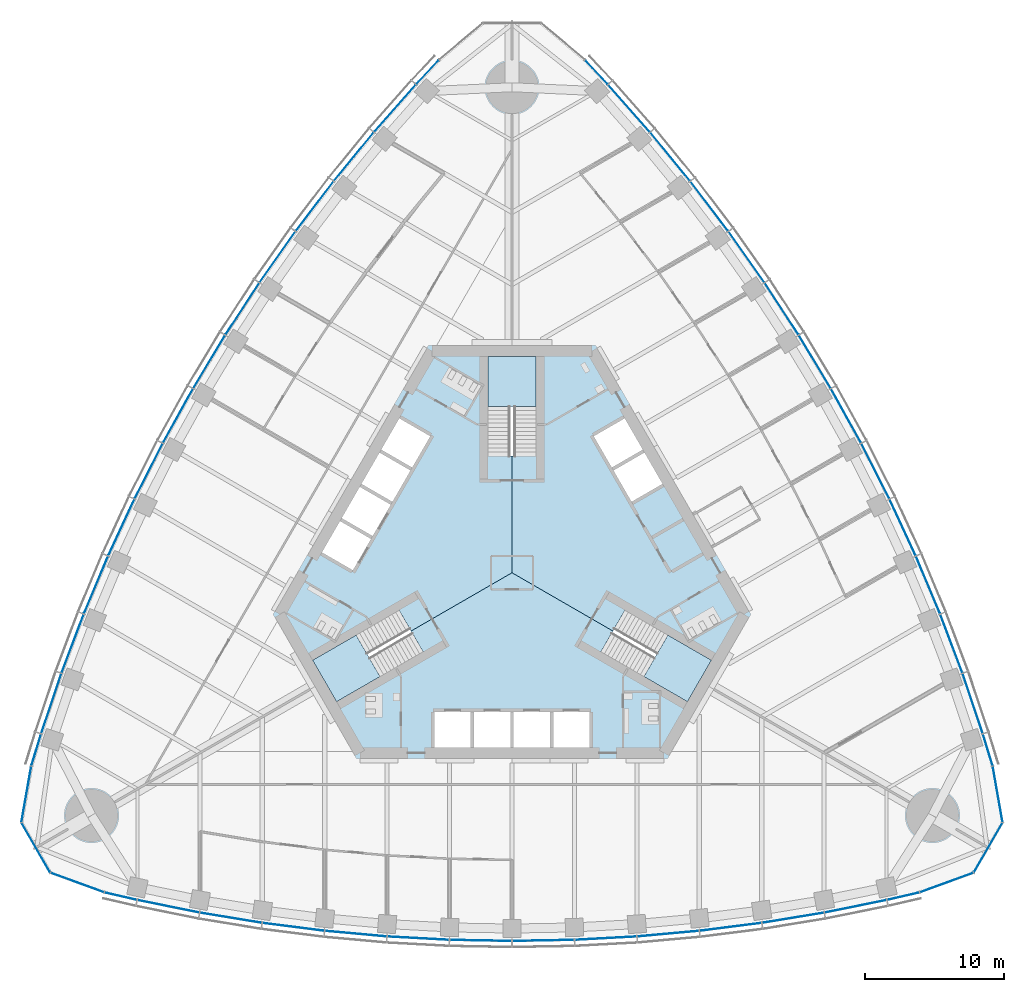
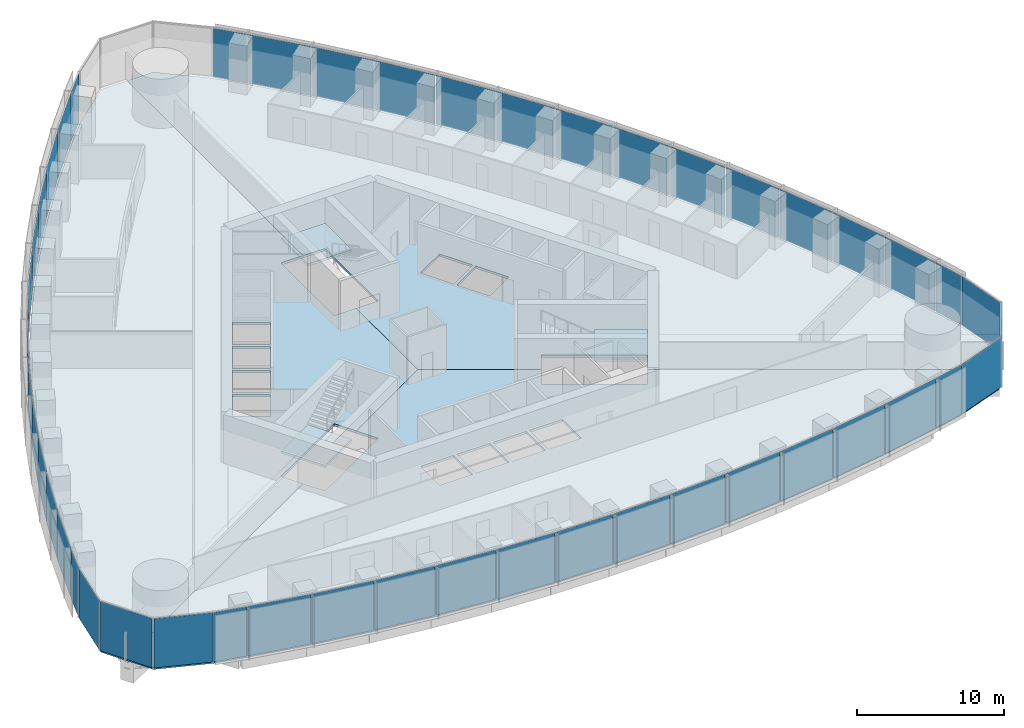
# One storey, part 10 of 19: 48 plates, 6 slabs, 8 elements without a shape of their own.
"""IFC4 building model written with IfcOpenShell, lengths in metres."""

from ifc_helpers import new_model, si_unit, direction, frame, origin, origin_2d, place, context, subcontext, project, spatial, polyline, rectangle, outline, extrude, material, layer, layer_set, type_object, element, aggregate, save


model = new_model("IFC4")

# Units and contexts
model_context = context("Model", 3, precision=1e-05, world=origin(), true_north=direction((0.0, 1.0)))
body_context = subcontext(model_context, "Body", "Model", "MODEL_VIEW")
ifc_project = project(units=[si_unit("LENGTHUNIT", "METRE"), si_unit("AREAUNIT", "SQUARE_METRE"), si_unit("VOLUMEUNIT", "CUBIC_METRE"), si_unit("PLANEANGLEUNIT", "RADIAN"), si_unit("MASSUNIT", "GRAM", prefix="KILO")], contexts=[model_context])

# Site, building, storey
site_placement = place(None, origin())
site = spatial("IfcSite", under=ifc_project, at=site_placement, CompositionType="ELEMENT")
building_placement = place(site_placement, origin())
building = spatial("IfcBuilding", under=site, at=building_placement, Name="Trefoil Bronze Tower", CompositionType="ELEMENT")
storey_placement = place(building_placement, frame((0.0, 0.0, 136.699951171875)))
storey = spatial("IfcBuildingStorey", under=building, at=storey_placement, Name="L31", CompositionType="ELEMENT", Elevation=136.699951171875)

# Curtain wall, plates
ifc_material_1 = material(Name="Tinted solar-control glass", Category="glass")
curtain_wall_type_1 = type_object("IfcCurtainWallType", Name="Bronze office curtain wall", PredefinedType="USERDEFINED", material=ifc_material_1)
curtain_wall_1_placement = place(storey_placement, origin())
curtain_wall_1 = element("IfcCurtainWall", 1, at=curtain_wall_1_placement, inside=storey, type_object=curtain_wall_type_1, Name="CW-A L31 F1", ObjectType="CURTAIN WALL", PredefinedType="USERDEFINED")
ifc_material_2 = material(Name="Tinted solar-control glass", Category="glass")
ifc_layer_1 = layer(ifc_material_2, 0.030029296875)
ifc_layer_set_1 = layer_set([ifc_layer_1], Name="Bronze office curtain wall glass panel")
plate_type_1 = type_object("IfcPlateType", Name="Bronze office curtain wall glass panel", PredefinedType="CURTAIN_PANEL", material=ifc_layer_set_1)
plate_1_placement = place(storey_placement, frame((-28.201416015625, -23.320068359375, 0.0), z_axis=(0.0, 0.0, 1.0), x_axis=(0.97420444715, -0.225667222151, 0.0)))
plate_1 = element("IfcPlate", 2, at=plate_1_placement, type_object=plate_type_1, Name="CW-A L31 F1 panel 1", PredefinedType="CURTAIN_PANEL", context=body_context, shape_type="SweptSolid", body=[
    extrude(rectangle(XDim=2.340087890625, YDim=0.030029296875, at=origin_2d()), origin(), (0.0, 0.0, 1.0), 4.080078125),
])
plate_2_placement = place(storey_placement, frame((-24.769775390625, -24.048828125, 0.0), z_axis=(0.0, 0.0, 1.0), x_axis=(0.980155155547, -0.198231861853, 0.0)))
plate_2 = element("IfcPlate", 3, at=plate_2_placement, type_object=plate_type_1, Name="CW-A L31 F1 panel 2", PredefinedType="CURTAIN_PANEL", context=body_context, shape_type="SweptSolid", body=[
    extrude(rectangle(XDim=4.51123046875, YDim=0.030029296875, at=origin_2d()), origin(), (0.0, 0.0, 1.0), 4.080078125),
])
plate_3_placement = place(storey_placement, frame((-20.26611328125, -24.87451171875, 0.0), z_axis=(0.0, 0.0, 1.0), x_axis=(0.986759655731, -0.162189339418, 0.0)))
plate_3 = element("IfcPlate", 4, at=plate_3_placement, type_object=plate_type_1, Name="CW-A L31 F1 panel 3", PredefinedType="CURTAIN_PANEL", context=body_context, shape_type="SweptSolid", body=[
    extrude(rectangle(XDim=4.48046875, YDim=0.030029296875, at=origin_2d()), origin(), (0.0, 0.0, 1.0), 4.080078125),
])
plate_4_placement = place(storey_placement, frame((-15.7626953125, -25.53076171875, 0.0), z_axis=(0.0, 0.0, 1.0), x_axis=(0.992011554286, -0.126147041833, 0.0)))
plate_4 = element("IfcPlate", 5, at=plate_4_placement, type_object=plate_type_1, Name="CW-A L31 F1 panel 4", PredefinedType="CURTAIN_PANEL", context=body_context, shape_type="SweptSolid", body=[
    extrude(rectangle(XDim=4.456298828125, YDim=0.030029296875, at=origin_2d()), origin(), (0.0, 0.0, 1.0), 4.080078125),
])
plate_5_placement = place(storey_placement, frame((-11.259033203125, -26.02099609375, 0.0), z_axis=(0.0, 0.0, 1.0), x_axis=(0.995932279146, -0.090104913044, 0.0)))
plate_5 = element("IfcPlate", 6, at=plate_5_placement, type_object=plate_type_1, Name="CW-A L31 F1 panel 5", PredefinedType="CURTAIN_PANEL", context=body_context, shape_type="SweptSolid", body=[
    extrude(rectangle(XDim=4.4384765625, YDim=0.030029296875, at=origin_2d()), origin(), (0.0, 0.0, 1.0), 4.080078125),
])
plate_6_placement = place(storey_placement, frame((-6.75537109375, -26.3466796875, 0.0), z_axis=(0.0, 0.0, 1.0), x_axis=(0.998537531923, -0.054062901701, 0.0)))
plate_6 = element("IfcPlate", 7, at=plate_6_placement, type_object=plate_type_1, Name="CW-A L31 F1 panel 6", PredefinedType="CURTAIN_PANEL", context=body_context, shape_type="SweptSolid", body=[
    extrude(rectangle(XDim=4.426513671875, YDim=0.030029296875, at=origin_2d()), origin(), (0.0, 0.0, 1.0), 4.080078125),
])
plate_7_placement = place(storey_placement, frame((-2.251708984375, -26.509033203125, 0.0), z_axis=(0.0, 0.0, 1.0), x_axis=(0.999837609322, -0.018020959612, 0.0)))
plate_7 = element("IfcPlate", 8, at=plate_7_placement, type_object=plate_type_1, Name="CW-A L31 F1 panel 7", PredefinedType="CURTAIN_PANEL", context=body_context, shape_type="SweptSolid", body=[
    extrude(rectangle(XDim=4.420654296875, YDim=0.030029296875, at=origin_2d()), origin(), (0.0, 0.0, 1.0), 4.080078125),
])
plate_8_placement = place(storey_placement, frame((2.251708984375, -26.509033203125, 0.0), z_axis=(0.0, 0.0, 1.0), x_axis=(0.999837609322, 0.018020959612, 0.0)))
plate_8 = element("IfcPlate", 9, at=plate_8_placement, type_object=plate_type_1, Name="CW-A L31 F1 panel 8", PredefinedType="CURTAIN_PANEL", context=body_context, shape_type="SweptSolid", body=[
    extrude(rectangle(XDim=4.420654296875, YDim=0.030029296875, at=origin_2d()), origin(), (0.0, 0.0, 1.0), 4.080078125),
])
plate_9_placement = place(storey_placement, frame((6.75537109375, -26.3466796875, 0.0), z_axis=(0.0, 0.0, 1.0), x_axis=(0.998537531923, 0.054062901701, 0.0)))
plate_9 = element("IfcPlate", 10, at=plate_9_placement, type_object=plate_type_1, Name="CW-A L31 F1 panel 9", PredefinedType="CURTAIN_PANEL", context=body_context, shape_type="SweptSolid", body=[
    extrude(rectangle(XDim=4.426513671875, YDim=0.030029296875, at=origin_2d()), origin(), (0.0, 0.0, 1.0), 4.080078125),
])
plate_10_placement = place(storey_placement, frame((11.259033203125, -26.02099609375, 0.0), z_axis=(0.0, 0.0, 1.0), x_axis=(0.995932279146, 0.090104913044, 0.0)))
plate_10 = element("IfcPlate", 11, at=plate_10_placement, type_object=plate_type_1, Name="CW-A L31 F1 panel 10", PredefinedType="CURTAIN_PANEL", context=body_context, shape_type="SweptSolid", body=[
    extrude(rectangle(XDim=4.4384765625, YDim=0.030029296875, at=origin_2d()), origin(), (0.0, 0.0, 1.0), 4.080078125),
])
plate_11_placement = place(storey_placement, frame((15.7626953125, -25.53076171875, 0.0), z_axis=(0.0, 0.0, 1.0), x_axis=(0.992011554286, 0.126147041833, 0.0)))
plate_11 = element("IfcPlate", 12, at=plate_11_placement, type_object=plate_type_1, Name="CW-A L31 F1 panel 11", PredefinedType="CURTAIN_PANEL", context=body_context, shape_type="SweptSolid", body=[
    extrude(rectangle(XDim=4.456298828125, YDim=0.030029296875, at=origin_2d()), origin(), (0.0, 0.0, 1.0), 4.080078125),
])
plate_12_placement = place(storey_placement, frame((20.26611328125, -24.87451171875, 0.0), z_axis=(0.0, 0.0, 1.0), x_axis=(0.986759655731, 0.162189339418, 0.0)))
plate_12 = element("IfcPlate", 13, at=plate_12_placement, type_object=plate_type_1, Name="CW-A L31 F1 panel 12", PredefinedType="CURTAIN_PANEL", context=body_context, shape_type="SweptSolid", body=[
    extrude(rectangle(XDim=4.48046875, YDim=0.030029296875, at=origin_2d()), origin(), (0.0, 0.0, 1.0), 4.080078125),
])
plate_13_placement = place(storey_placement, frame((24.769775390625, -24.048828125, 0.0), z_axis=(0.0, 0.0, 1.0), x_axis=(0.980155155547, 0.198231861853, 0.0)))
plate_13 = element("IfcPlate", 14, at=plate_13_placement, type_object=plate_type_1, Name="CW-A L31 F1 panel 13", PredefinedType="CURTAIN_PANEL", context=body_context, shape_type="SweptSolid", body=[
    extrude(rectangle(XDim=4.51123046875, YDim=0.030029296875, at=origin_2d()), origin(), (0.0, 0.0, 1.0), 4.080078125),
])
plate_14_placement = place(storey_placement, frame((28.201416015625, -23.320068359375, 0.0), z_axis=(0.0, 0.0, 1.0), x_axis=(0.97420444715, 0.225667222151, 0.0)))
plate_14 = element("IfcPlate", 15, at=plate_14_placement, type_object=plate_type_1, Name="CW-A L31 F1 panel 14", PredefinedType="CURTAIN_PANEL", context=body_context, shape_type="SweptSolid", body=[
    extrude(rectangle(XDim=2.340087890625, YDim=0.030029296875, at=origin_2d()), origin(), (0.0, 0.0, 1.0), 4.080078125),
])
aggregate(curtain_wall_1, [plate_1, plate_2, plate_3, plate_4, plate_5, plate_6, plate_7, plate_8, plate_9, plate_10, plate_11, plate_12, plate_13, plate_14])

curtain_wall_2_placement = place(storey_placement, origin())
curtain_wall_2 = element("IfcCurtainWall", 16, at=curtain_wall_2_placement, inside=storey, type_object=curtain_wall_type_1, Name="CW-A L31 F2", ObjectType="CURTAIN WALL", PredefinedType="USERDEFINED")
plate_15_placement = place(storey_placement, frame((34.296630859375, -12.762939453125, 0.0), z_axis=(0.0, 0.0, 1.0), x_axis=(-0.291668676391, 0.956519410787, 0.0)))
plate_15 = element("IfcPlate", 17, at=plate_15_placement, type_object=plate_type_1, Name="CW-A L31 F2 panel 1", PredefinedType="CURTAIN_PANEL", context=body_context, shape_type="SweptSolid", body=[
    extrude(rectangle(XDim=2.340087890625, YDim=0.030029296875, at=origin_2d()), origin(), (0.0, 0.0, 1.0), 4.080078125),
])
plate_16_placement = place(storey_placement, frame((33.2119140625, -9.4267578125, 0.0), z_axis=(0.0, 0.0, 1.0), x_axis=(-0.318403749569, 0.947955195281, 0.0)))
plate_16 = element("IfcPlate", 18, at=plate_16_placement, type_object=plate_type_1, Name="CW-A L31 F2 panel 2", PredefinedType="CURTAIN_PANEL", context=body_context, shape_type="SweptSolid", body=[
    extrude(rectangle(XDim=4.51123046875, YDim=0.030029296875, at=origin_2d()), origin(), (0.0, 0.0, 1.0), 4.080078125),
])
plate_17_placement = place(storey_placement, frame((31.675048828125, -5.11376953125, 0.0), z_axis=(0.0, 0.0, 1.0), x_axis=(-0.352919739707, 0.935653599002, 0.0)))
plate_17 = element("IfcPlate", 19, at=plate_17_placement, type_object=plate_type_1, Name="CW-A L31 F2 panel 3", PredefinedType="CURTAIN_PANEL", context=body_context, shape_type="SweptSolid", body=[
    extrude(rectangle(XDim=4.48046875, YDim=0.030029296875, at=origin_2d()), origin(), (0.0, 0.0, 1.0), 4.080078125),
])
plate_18_placement = place(storey_placement, frame((29.99169921875, -0.885498046875, 0.0), z_axis=(0.0, 0.0, 1.0), x_axis=(-0.386759234303, 0.922180727776, 0.0)))
plate_18 = element("IfcPlate", 20, at=plate_18_placement, type_object=plate_type_1, Name="CW-A L31 F2 panel 4", PredefinedType="CURTAIN_PANEL", context=body_context, shape_type="SweptSolid", body=[
    extrude(rectangle(XDim=4.456298828125, YDim=0.030029296875, at=origin_2d()), origin(), (0.0, 0.0, 1.0), 4.080078125),
])
plate_19_placement = place(storey_placement, frame((28.164306640625, 3.260009765625, 0.0), z_axis=(0.0, 0.0, 1.0), x_axis=(-0.419932995871, 0.907555110712, 0.0)))
plate_19 = element("IfcPlate", 21, at=plate_19_placement, type_object=plate_type_1, Name="CW-A L31 F2 panel 5", PredefinedType="CURTAIN_PANEL", context=body_context, shape_type="SweptSolid", body=[
    extrude(rectangle(XDim=4.4384765625, YDim=0.030029296875, at=origin_2d()), origin(), (0.0, 0.0, 1.0), 4.080078125),
])
plate_20_placement = place(storey_placement, frame((26.194580078125, 7.322998046875, 0.0), z_axis=(0.0, 0.0, 1.0), x_axis=(-0.452448919686, 0.891790320128, 0.0)))
plate_20 = element("IfcPlate", 22, at=plate_20_placement, type_object=plate_type_1, Name="CW-A L31 F2 panel 6", PredefinedType="CURTAIN_PANEL", context=body_context, shape_type="SweptSolid", body=[
    extrude(rectangle(XDim=4.426513671875, YDim=0.030029296875, at=origin_2d()), origin(), (0.0, 0.0, 1.0), 4.080078125),
])
plate_21_placement = place(storey_placement, frame((24.08349609375, 11.304443359375, 0.0), z_axis=(0.0, 0.0, 1.0), x_axis=(-0.484312195836, 0.874895249138, 0.0)))
plate_21 = element("IfcPlate", 23, at=plate_21_placement, type_object=plate_type_1, Name="CW-A L31 F2 panel 7", PredefinedType="CURTAIN_PANEL", context=body_context, shape_type="SweptSolid", body=[
    extrude(rectangle(XDim=4.420654296875, YDim=0.030029296875, at=origin_2d()), origin(), (0.0, 0.0, 1.0), 4.080078125),
])
plate_22_placement = place(storey_placement, frame((21.83154296875, 15.20458984375, 0.0), z_axis=(0.0, 0.0, 1.0), x_axis=(-0.515525413486, 0.856874289526, 0.0)))
plate_22 = element("IfcPlate", 24, at=plate_22_placement, type_object=plate_type_1, Name="CW-A L31 F2 panel 8", PredefinedType="CURTAIN_PANEL", context=body_context, shape_type="SweptSolid", body=[
    extrude(rectangle(XDim=4.420654296875, YDim=0.030029296875, at=origin_2d()), origin(), (0.0, 0.0, 1.0), 4.080078125),
])
plate_23_placement = place(storey_placement, frame((19.439208984375, 19.023681640625, 0.0), z_axis=(0.0, 0.0, 1.0), x_axis=(-0.546088612237, 0.837727418427, 0.0)))
plate_23 = element("IfcPlate", 25, at=plate_23_placement, type_object=plate_type_1, Name="CW-A L31 F2 panel 9", PredefinedType="CURTAIN_PANEL", context=body_context, shape_type="SweptSolid", body=[
    extrude(rectangle(XDim=4.426513671875, YDim=0.030029296875, at=origin_2d()), origin(), (0.0, 0.0, 1.0), 4.080078125),
])
plate_24_placement = place(storey_placement, frame((16.9052734375, 22.760986328125, 0.0), z_axis=(0.0, 0.0, 1.0), x_axis=(-0.575999283275, 0.817450197667, 0.0)))
plate_24 = element("IfcPlate", 26, at=plate_24_placement, type_object=plate_type_1, Name="CW-A L31 F2 panel 10", PredefinedType="CURTAIN_PANEL", context=body_context, shape_type="SweptSolid", body=[
    extrude(rectangle(XDim=4.4384765625, YDim=0.030029296875, at=origin_2d()), origin(), (0.0, 0.0, 1.0), 4.080078125),
])
plate_25_placement = place(storey_placement, frame((14.22900390625, 26.416259765625, 0.0), z_axis=(0.0, 0.0, 1.0), x_axis=(-0.605252319983, 0.796033685943, 0.0)))
plate_25 = element("IfcPlate", 27, at=plate_25_placement, type_object=plate_type_1, Name="CW-A L31 F2 panel 11", PredefinedType="CURTAIN_PANEL", context=body_context, shape_type="SweptSolid", body=[
    extrude(rectangle(XDim=4.456298828125, YDim=0.030029296875, at=origin_2d()), origin(), (0.0, 0.0, 1.0), 4.080078125),
])
plate_26_placement = place(storey_placement, frame((11.40869140625, 29.98828125, 0.0), z_axis=(0.0, 0.0, 1.0), x_axis=(-0.633839916024, 0.773464259584, 0.0)))
plate_26 = element("IfcPlate", 28, at=plate_26_placement, type_object=plate_type_1, Name="CW-A L31 F2 panel 12", PredefinedType="CURTAIN_PANEL", context=body_context, shape_type="SweptSolid", body=[
    extrude(rectangle(XDim=4.48046875, YDim=0.030029296875, at=origin_2d()), origin(), (0.0, 0.0, 1.0), 4.080078125),
])
plate_27_placement = place(storey_placement, frame((8.442138671875, 33.475830078125, 0.0), z_axis=(0.0, 0.0, 1.0), x_axis=(-0.661751405978, 0.749723333428, 0.0)))
plate_27 = element("IfcPlate", 29, at=plate_27_placement, type_object=plate_type_1, Name="CW-A L31 F2 panel 13", PredefinedType="CURTAIN_PANEL", context=body_context, shape_type="SweptSolid", body=[
    extrude(rectangle(XDim=4.51123046875, YDim=0.030029296875, at=origin_2d()), origin(), (0.0, 0.0, 1.0), 4.080078125),
])
plate_28_placement = place(storey_placement, frame((6.09521484375, 36.083251953125, 0.0), z_axis=(0.0, 0.0, 1.0), x_axis=(-0.682535770759, 0.730852188636, 0.0)))
plate_28 = element("IfcPlate", 30, at=plate_28_placement, type_object=plate_type_1, Name="CW-A L31 F2 panel 14", PredefinedType="CURTAIN_PANEL", context=body_context, shape_type="SweptSolid", body=[
    extrude(rectangle(XDim=2.340087890625, YDim=0.030029296875, at=origin_2d()), origin(), (0.0, 0.0, 1.0), 4.080078125),
])
aggregate(curtain_wall_2, [plate_15, plate_16, plate_17, plate_18, plate_19, plate_20, plate_21, plate_22, plate_23, plate_24, plate_25, plate_26, plate_27, plate_28])

curtain_wall_3_placement = place(storey_placement, origin())
curtain_wall_3 = element("IfcCurtainWall", 31, at=curtain_wall_3_placement, inside=storey, type_object=curtain_wall_type_1, Name="CW-A L31 F3", ObjectType="CURTAIN WALL", PredefinedType="USERDEFINED")
plate_29_placement = place(storey_placement, frame((-6.09521484375, 36.083251953125, 0.0), z_axis=(0.0, 0.0, 1.0), x_axis=(-0.682535770759, -0.730852188636, 0.0)))
plate_29 = element("IfcPlate", 32, at=plate_29_placement, type_object=plate_type_1, Name="CW-A L31 F3 panel 1", PredefinedType="CURTAIN_PANEL", context=body_context, shape_type="SweptSolid", body=[
    extrude(rectangle(XDim=2.340087890625, YDim=0.030029296875, at=origin_2d()), origin(), (0.0, 0.0, 1.0), 4.080078125),
])
plate_30_placement = place(storey_placement, frame((-8.442138671875, 33.475830078125, 0.0), z_axis=(0.0, 0.0, 1.0), x_axis=(-0.661751405978, -0.749723333428, 0.0)))
plate_30 = element("IfcPlate", 33, at=plate_30_placement, type_object=plate_type_1, Name="CW-A L31 F3 panel 2", PredefinedType="CURTAIN_PANEL", context=body_context, shape_type="SweptSolid", body=[
    extrude(rectangle(XDim=4.51123046875, YDim=0.030029296875, at=origin_2d()), origin(), (0.0, 0.0, 1.0), 4.080078125),
])
plate_31_placement = place(storey_placement, frame((-11.40869140625, 29.98828125, 0.0), z_axis=(0.0, 0.0, 1.0), x_axis=(-0.633839916024, -0.773464259584, 0.0)))
plate_31 = element("IfcPlate", 34, at=plate_31_placement, type_object=plate_type_1, Name="CW-A L31 F3 panel 3", PredefinedType="CURTAIN_PANEL", context=body_context, shape_type="SweptSolid", body=[
    extrude(rectangle(XDim=4.48046875, YDim=0.030029296875, at=origin_2d()), origin(), (0.0, 0.0, 1.0), 4.080078125),
])
plate_32_placement = place(storey_placement, frame((-14.22900390625, 26.416259765625, 0.0), z_axis=(0.0, 0.0, 1.0), x_axis=(-0.605252319983, -0.796033685943, 0.0)))
plate_32 = element("IfcPlate", 35, at=plate_32_placement, type_object=plate_type_1, Name="CW-A L31 F3 panel 4", PredefinedType="CURTAIN_PANEL", context=body_context, shape_type="SweptSolid", body=[
    extrude(rectangle(XDim=4.456298828125, YDim=0.030029296875, at=origin_2d()), origin(), (0.0, 0.0, 1.0), 4.080078125),
])
plate_33_placement = place(storey_placement, frame((-16.9052734375, 22.760986328125, 0.0), z_axis=(0.0, 0.0, 1.0), x_axis=(-0.575999283275, -0.817450197667, 0.0)))
plate_33 = element("IfcPlate", 36, at=plate_33_placement, type_object=plate_type_1, Name="CW-A L31 F3 panel 5", PredefinedType="CURTAIN_PANEL", context=body_context, shape_type="SweptSolid", body=[
    extrude(rectangle(XDim=4.4384765625, YDim=0.030029296875, at=origin_2d()), origin(), (0.0, 0.0, 1.0), 4.080078125),
])
plate_34_placement = place(storey_placement, frame((-19.439208984375, 19.023681640625, 0.0), z_axis=(0.0, 0.0, 1.0), x_axis=(-0.546088612237, -0.837727418427, 0.0)))
plate_34 = element("IfcPlate", 37, at=plate_34_placement, type_object=plate_type_1, Name="CW-A L31 F3 panel 6", PredefinedType="CURTAIN_PANEL", context=body_context, shape_type="SweptSolid", body=[
    extrude(rectangle(XDim=4.426513671875, YDim=0.030029296875, at=origin_2d()), origin(), (0.0, 0.0, 1.0), 4.080078125),
])
plate_35_placement = place(storey_placement, frame((-21.83154296875, 15.20458984375, 0.0), z_axis=(0.0, 0.0, 1.0), x_axis=(-0.515525413486, -0.856874289526, 0.0)))
plate_35 = element("IfcPlate", 38, at=plate_35_placement, type_object=plate_type_1, Name="CW-A L31 F3 panel 7", PredefinedType="CURTAIN_PANEL", context=body_context, shape_type="SweptSolid", body=[
    extrude(rectangle(XDim=4.420654296875, YDim=0.030029296875, at=origin_2d()), origin(), (0.0, 0.0, 1.0), 4.080078125),
])
plate_36_placement = place(storey_placement, frame((-24.08349609375, 11.304443359375, 0.0), z_axis=(0.0, 0.0, 1.0), x_axis=(-0.484312195836, -0.874895249138, 0.0)))
plate_36 = element("IfcPlate", 39, at=plate_36_placement, type_object=plate_type_1, Name="CW-A L31 F3 panel 8", PredefinedType="CURTAIN_PANEL", context=body_context, shape_type="SweptSolid", body=[
    extrude(rectangle(XDim=4.420654296875, YDim=0.030029296875, at=origin_2d()), origin(), (0.0, 0.0, 1.0), 4.080078125),
])
plate_37_placement = place(storey_placement, frame((-26.194580078125, 7.322998046875, 0.0), z_axis=(0.0, 0.0, 1.0), x_axis=(-0.452448919686, -0.891790320128, 0.0)))
plate_37 = element("IfcPlate", 40, at=plate_37_placement, type_object=plate_type_1, Name="CW-A L31 F3 panel 9", PredefinedType="CURTAIN_PANEL", context=body_context, shape_type="SweptSolid", body=[
    extrude(rectangle(XDim=4.426513671875, YDim=0.030029296875, at=origin_2d()), origin(), (0.0, 0.0, 1.0), 4.080078125),
])
plate_38_placement = place(storey_placement, frame((-28.164306640625, 3.260009765625, 0.0), z_axis=(0.0, 0.0, 1.0), x_axis=(-0.419932995871, -0.907555110712, 0.0)))
plate_38 = element("IfcPlate", 41, at=plate_38_placement, type_object=plate_type_1, Name="CW-A L31 F3 panel 10", PredefinedType="CURTAIN_PANEL", context=body_context, shape_type="SweptSolid", body=[
    extrude(rectangle(XDim=4.4384765625, YDim=0.030029296875, at=origin_2d()), origin(), (0.0, 0.0, 1.0), 4.080078125),
])
plate_39_placement = place(storey_placement, frame((-29.99169921875, -0.885498046875, 0.0), z_axis=(0.0, 0.0, 1.0), x_axis=(-0.386759234303, -0.922180727776, 0.0)))
plate_39 = element("IfcPlate", 42, at=plate_39_placement, type_object=plate_type_1, Name="CW-A L31 F3 panel 11", PredefinedType="CURTAIN_PANEL", context=body_context, shape_type="SweptSolid", body=[
    extrude(rectangle(XDim=4.456298828125, YDim=0.030029296875, at=origin_2d()), origin(), (0.0, 0.0, 1.0), 4.080078125),
])
plate_40_placement = place(storey_placement, frame((-31.675048828125, -5.11376953125, 0.0), z_axis=(0.0, 0.0, 1.0), x_axis=(-0.352919739707, -0.935653599002, 0.0)))
plate_40 = element("IfcPlate", 43, at=plate_40_placement, type_object=plate_type_1, Name="CW-A L31 F3 panel 12", PredefinedType="CURTAIN_PANEL", context=body_context, shape_type="SweptSolid", body=[
    extrude(rectangle(XDim=4.48046875, YDim=0.030029296875, at=origin_2d()), origin(), (0.0, 0.0, 1.0), 4.080078125),
])
plate_41_placement = place(storey_placement, frame((-33.2119140625, -9.4267578125, 0.0), z_axis=(0.0, 0.0, 1.0), x_axis=(-0.318403749569, -0.947955195281, 0.0)))
plate_41 = element("IfcPlate", 44, at=plate_41_placement, type_object=plate_type_1, Name="CW-A L31 F3 panel 13", PredefinedType="CURTAIN_PANEL", context=body_context, shape_type="SweptSolid", body=[
    extrude(rectangle(XDim=4.51123046875, YDim=0.030029296875, at=origin_2d()), origin(), (0.0, 0.0, 1.0), 4.080078125),
])
plate_42_placement = place(storey_placement, frame((-34.296630859375, -12.762939453125, 0.0), z_axis=(0.0, 0.0, 1.0), x_axis=(-0.291668676391, -0.956519410787, 0.0)))
plate_42 = element("IfcPlate", 45, at=plate_42_placement, type_object=plate_type_1, Name="CW-A L31 F3 panel 14", PredefinedType="CURTAIN_PANEL", context=body_context, shape_type="SweptSolid", body=[
    extrude(rectangle(XDim=2.340087890625, YDim=0.030029296875, at=origin_2d()), origin(), (0.0, 0.0, 1.0), 4.080078125),
])
aggregate(curtain_wall_3, [plate_29, plate_30, plate_31, plate_32, plate_33, plate_34, plate_35, plate_36, plate_37, plate_38, plate_39, plate_40, plate_41, plate_42])

ifc_material_3 = material(Name="Tinted solar-control glass", Category="glass")
curtain_wall_type_2 = type_object("IfcCurtainWallType", Name="Bronze rounded corner curtain wall", PredefinedType="USERDEFINED", material=ifc_material_3)
curtain_wall_4_placement = place(storey_placement, origin())
curtain_wall_4 = element("IfcCurtainWall", 46, at=curtain_wall_4_placement, inside=storey, type_object=curtain_wall_type_2, Name="CW-B L31 K1", ObjectType="CURTAIN WALL", PredefinedType="USERDEFINED")
ifc_material_4 = material(Name="Tinted solar-control glass", Category="glass")
ifc_layer_2 = layer(ifc_material_4, 0.030029296875)
ifc_layer_set_2 = layer_set([ifc_layer_2], Name="Bronze rounded corner curtain wall glass panel")
plate_type_2 = type_object("IfcPlateType", Name="Bronze rounded corner curtain wall glass panel", PredefinedType="CURTAIN_PANEL", material=ifc_layer_set_2)
plate_43_placement = place(storey_placement, frame((31.3203125, -22.341796875, 0.0), z_axis=(0.0, 0.0, 1.0), x_axis=(0.939692620786, 0.342020143326, 0.0)))
plate_43 = element("IfcPlate", 47, at=plate_43_placement, type_object=plate_type_2, Name="CW-B L31 K1 panel 1", PredefinedType="CURTAIN_PANEL", context=body_context, shape_type="SweptSolid", body=[
    extrude(rectangle(XDim=4.044189453125, YDim=0.030029296875, at=origin_2d()), origin(), (0.0, 0.0, 1.0), 4.080078125),
])
plate_44_placement = place(storey_placement, frame((34.3271484375, -19.81884765625, 0.0), z_axis=(0.0, 0.0, 1.0), x_axis=(0.5, 0.866025403784, 0.0)))
plate_44 = element("IfcPlate", 48, at=plate_44_placement, type_object=plate_type_2, Name="CW-B L31 K1 panel 2", PredefinedType="CURTAIN_PANEL", context=body_context, shape_type="SweptSolid", body=[
    extrude(rectangle(XDim=4.044189453125, YDim=0.030029296875, at=origin_2d()), origin(), (0.0, 0.0, 1.0), 4.080078125),
])
plate_45_placement = place(storey_placement, frame((35.0087890625, -15.953369140625, 0.0), z_axis=(0.0, 0.0, 1.0), x_axis=(-0.173648177667, 0.984807753012, 0.0)))
plate_45 = element("IfcPlate", 49, at=plate_45_placement, type_object=plate_type_2, Name="CW-B L31 K1 panel 3", PredefinedType="CURTAIN_PANEL", context=body_context, shape_type="SweptSolid", body=[
    extrude(rectangle(XDim=4.044189453125, YDim=0.030029296875, at=origin_2d()), origin(), (0.0, 0.0, 1.0), 4.080078125),
])
aggregate(curtain_wall_4, [plate_43, plate_44, plate_45])

curtain_wall_5_placement = place(storey_placement, origin())
curtain_wall_5 = element("IfcCurtainWall", 50, at=curtain_wall_5_placement, inside=storey, type_object=curtain_wall_type_2, Name="CW-B L31 K3", ObjectType="CURTAIN WALL", PredefinedType="USERDEFINED")
plate_46_placement = place(storey_placement, frame((-35.0087890625, -15.953369140625, 0.0), z_axis=(0.0, 0.0, 1.0), x_axis=(-0.173648177667, -0.984807753012, 0.0)))
plate_46 = element("IfcPlate", 51, at=plate_46_placement, type_object=plate_type_2, Name="CW-B L31 K3 panel 1", PredefinedType="CURTAIN_PANEL", context=body_context, shape_type="SweptSolid", body=[
    extrude(rectangle(XDim=4.044189453125, YDim=0.030029296875, at=origin_2d()), origin(), (0.0, 0.0, 1.0), 4.080078125),
])
plate_47_placement = place(storey_placement, frame((-34.3271484375, -19.81884765625, 0.0), z_axis=(0.0, 0.0, 1.0), x_axis=(0.5, -0.866025403784, 0.0)))
plate_47 = element("IfcPlate", 52, at=plate_47_placement, type_object=plate_type_2, Name="CW-B L31 K3 panel 2", PredefinedType="CURTAIN_PANEL", context=body_context, shape_type="SweptSolid", body=[
    extrude(rectangle(XDim=4.044189453125, YDim=0.030029296875, at=origin_2d()), origin(), (0.0, 0.0, 1.0), 4.080078125),
])
plate_48_placement = place(storey_placement, frame((-31.3203125, -22.341796875, 0.0), z_axis=(0.0, 0.0, 1.0), x_axis=(0.939692620786, -0.342020143326, 0.0)))
plate_48 = element("IfcPlate", 53, at=plate_48_placement, type_object=plate_type_2, Name="CW-B L31 K3 panel 3", PredefinedType="CURTAIN_PANEL", context=body_context, shape_type="SweptSolid", body=[
    extrude(rectangle(XDim=4.044189453125, YDim=0.030029296875, at=origin_2d()), origin(), (0.0, 0.0, 1.0), 4.080078125),
])
aggregate(curtain_wall_5, [plate_46, plate_47, plate_48])

# Slabs
ifc_material_5 = material(Name="Concrete B30", Category="concrete")
ifc_layer_3 = layer(ifc_material_5, 0.199951171875)
ifc_layer_set_3 = layer_set([ifc_layer_3], Name="Floor slab 200")
slab_type_1 = type_object("IfcSlabType", Name="Floor slab 200", PredefinedType="FLOOR", material=ifc_layer_set_3)
slab_1_placement = place(storey_placement, frame((0.0, 0.0, -0.199951171875)))
element("IfcSlab", 54, at=slab_1_placement, inside=storey, type_object=slab_type_1, Name="Floor slab L31 face 1", PredefinedType="FLOOR", context=body_context, shape_type="SweptSolid", body=[
    extrude(outline(polyline([(22.5, -24.406005859375), (18.0, -25.1455078125), (13.5, -25.7177734375), (9.0, -26.125), (4.5, -26.36865234375), (0.0, -26.44970703125), (-4.5, -26.36865234375), (-9.0, -26.125), (-13.5, -25.7177734375), (-18.0, -25.1455078125), (-22.5, -24.406005859375), (-27.0, -23.495849609375), (-29.357666015625, -22.94970703125), (-33.21435546875, -21.5458984375), (-34.240478515625, -19.768798828125), (-13.510009765625, -7.800048828125), (-12.6474609375, -9.2939453125), (-6.412109375, -5.69384765625), (-7.274658203125, -4.199951171875), (0.0, 0.0), (7.274658203125, -4.199951171875), (6.412109375, -5.69384765625), (12.6474609375, -9.2939453125), (13.510009765625, -7.800048828125), (34.240478515625, -19.768798828125), (33.21435546875, -21.5458984375), (29.357666015625, -22.94970703125), (27.0, -23.495849609375), (22.5, -24.406005859375)]), holes=[polyline([(-5.574951171875, -10.02490234375), (-2.97509765625, -10.02490234375), (-2.97509765625, -12.60009765625), (-5.574951171875, -12.60009765625), (-5.574951171875, -10.02490234375)]), polyline([(-2.72509765625, -10.02490234375), (-0.125, -10.02490234375), (-0.125, -12.60009765625), (-2.72509765625, -12.60009765625), (-2.72509765625, -10.02490234375)]), polyline([(0.125, -10.02490234375), (2.72509765625, -10.02490234375), (2.72509765625, -12.60009765625), (0.125, -12.60009765625), (0.125, -10.02490234375)]), polyline([(2.97509765625, -10.02490234375), (5.574951171875, -10.02490234375), (5.574951171875, -12.60009765625), (2.97509765625, -12.60009765625), (2.97509765625, -10.02490234375)])]), origin(), (0.0, 0.0, 1.0), 0.199951171875),
])
slab_2_placement = place(storey_placement, frame((0.0, 0.0, -0.199951171875)))
element("IfcSlab", 55, at=slab_2_placement, inside=storey, type_object=slab_type_1, Name="Floor slab L31 face 2", PredefinedType="FLOOR", context=body_context, shape_type="SweptSolid", body=[
    extrude(outline(polyline([(9.88623046875, 31.6884765625), (12.776611328125, 28.1611328125), (15.522216796875, 24.55029296875), (18.124755859375, 20.856689453125), (20.5859375, 17.081298828125), (22.906005859375, 13.224853515625), (25.0859375, 9.287109375), (27.124755859375, 5.268310546875), (29.022216796875, 1.16748046875), (30.776611328125, -3.015625), (32.38623046875, -7.28271484375), (33.847900390625, -11.634765625), (34.553955078125, -13.94970703125), (35.2666015625, -17.991455078125), (34.240478515625, -19.768798828125), (13.510009765625, -7.800048828125), (14.37255859375, -6.30615234375), (8.13720703125, -2.7060546875), (7.274658203125, -4.199951171875), (0.0, 0.0), (0.0, 8.39990234375), (1.72509765625, 8.39990234375), (1.72509765625, 15.60009765625), (0.0, 15.60009765625), (0.0, 39.53759765625), (2.052001953125, 39.53759765625), (5.196044921875, 36.8994140625), (6.847900390625, 35.130615234375), (9.88623046875, 31.6884765625)]), holes=[polyline([(8.619384765625, 5.120849609375), (7.3193359375, 7.372314453125), (9.54931640625, 8.659912109375), (10.849365234375, 6.408203125), (8.619384765625, 5.120849609375)]), polyline([(7.1943359375, 7.5888671875), (5.894287109375, 9.840576171875), (8.12451171875, 11.128173828125), (9.42431640625, 8.87646484375), (7.1943359375, 7.5888671875)])]), origin(), (0.0, 0.0, 1.0), 0.199951171875),
])
slab_3_placement = place(storey_placement, frame((0.0, 0.0, -0.199951171875)))
element("IfcSlab", 56, at=slab_3_placement, inside=storey, type_object=slab_type_1, Name="Floor slab L31 face 3", PredefinedType="FLOOR", context=body_context, shape_type="SweptSolid", body=[
    extrude(outline(polyline([(-32.38623046875, -7.28271484375), (-30.776611328125, -3.015625), (-29.022216796875, 1.16748046875), (-27.124755859375, 5.268310546875), (-25.0859375, 9.287109375), (-22.906005859375, 13.224853515625), (-20.5859375, 17.081298828125), (-18.124755859375, 20.856689453125), (-15.522216796875, 24.55029296875), (-12.776611328125, 28.1611328125), (-9.88623046875, 31.6884765625), (-6.847900390625, 35.130615234375), (-5.196044921875, 36.8994140625), (-2.052001953125, 39.53759765625), (0.0, 39.53759765625), (0.0, 15.60009765625), (-1.72509765625, 15.60009765625), (-1.72509765625, 8.39990234375), (0.0, 8.39990234375), (0.0, 0.0), (-7.274658203125, -4.199951171875), (-8.13720703125, -2.7060546875), (-14.37255859375, -6.30615234375), (-13.510009765625, -7.800048828125), (-34.240478515625, -19.768798828125), (-35.2666015625, -17.991455078125), (-34.553955078125, -13.94970703125), (-33.847900390625, -11.634765625), (-32.38623046875, -7.28271484375)]), holes=[polyline([(-5.894287109375, 9.840576171875), (-7.1943359375, 7.5888671875), (-9.42431640625, 8.87646484375), (-8.12451171875, 11.128173828125), (-5.894287109375, 9.840576171875)]), polyline([(-7.3193359375, 7.372314453125), (-8.619384765625, 5.120849609375), (-10.849365234375, 6.408203125), (-9.54931640625, 8.659912109375), (-7.3193359375, 7.372314453125)]), polyline([(-8.744384765625, 4.904296875), (-10.04443359375, 2.652587890625), (-12.2744140625, 3.940185546875), (-10.974365234375, 6.191650390625), (-8.744384765625, 4.904296875)]), polyline([(-10.16943359375, 2.43603515625), (-11.469482421875, 0.184326171875), (-13.699462890625, 1.471923828125), (-12.3994140625, 3.7236328125), (-10.16943359375, 2.43603515625)])]), origin(), (0.0, 0.0, 1.0), 0.199951171875),
])

# Stair, slab
ifc_material_6 = material(Name="Precast concrete B80", Category="concrete")
stair_type = type_object("IfcStairType", Name="Exit stair 26 risers", PredefinedType="HALF_TURN_STAIR", material=ifc_material_6)
stair_1_placement = place(storey_placement, origin())
stair_1 = element("IfcStair", 57, at=stair_1_placement, inside=storey, type_object=stair_type, Name="Stair ST1 L31", PredefinedType="HALF_TURN_STAIR")
ifc_material_7 = material(Name="Concrete B30", Category="concrete")
ifc_layer_4 = layer(ifc_material_7, 0.199951171875)
ifc_layer_set_4 = layer_set([ifc_layer_4], Name="Stair landing 200")
slab_type_2 = type_object("IfcSlabType", Name="Stair landing 200", PredefinedType="LANDING", material=ifc_layer_set_4)
slab_4_placement = place(storey_placement, frame((0.0, 0.0, 1.900146484375)))
slab_4 = element("IfcSlab", 58, at=slab_4_placement, type_object=slab_type_2, Name="ST1 landing 1", PredefinedType="LANDING", context=body_context, shape_type="SweptSolid", body=[
    extrude(outline(polyline([(9.512451171875, -7.48388671875), (12.6474609375, -9.2939453125), (14.37255859375, -6.30615234375), (11.237548828125, -4.49609375), (9.512451171875, -7.48388671875)])), origin(), (0.0, 0.0, 1.0), 0.199951171875),
])
aggregate(stair_1, [slab_4])

stair_2_placement = place(storey_placement, origin())
stair_2 = element("IfcStair", 59, at=stair_2_placement, inside=storey, type_object=stair_type, Name="Stair ST2 L31", PredefinedType="HALF_TURN_STAIR")
slab_5_placement = place(storey_placement, frame((0.0, 0.0, 1.900146484375)))
slab_5 = element("IfcSlab", 60, at=slab_5_placement, type_object=slab_type_2, Name="ST2 landing 1", PredefinedType="LANDING", context=body_context, shape_type="SweptSolid", body=[
    extrude(outline(polyline([(1.72509765625, 11.97998046875), (1.72509765625, 15.60009765625), (-1.72509765625, 15.60009765625), (-1.72509765625, 11.97998046875), (1.72509765625, 11.97998046875)])), origin(), (0.0, 0.0, 1.0), 0.199951171875),
])
aggregate(stair_2, [slab_5])

stair_3_placement = place(storey_placement, origin())
stair_3 = element("IfcStair", 61, at=stair_3_placement, inside=storey, type_object=stair_type, Name="Stair ST3 L31", PredefinedType="HALF_TURN_STAIR")
slab_6_placement = place(storey_placement, frame((0.0, 0.0, 1.900146484375)))
slab_6 = element("IfcSlab", 62, at=slab_6_placement, type_object=slab_type_2, Name="ST3 landing 1", PredefinedType="LANDING", context=body_context, shape_type="SweptSolid", body=[
    extrude(outline(polyline([(-11.237548828125, -4.49609375), (-14.37255859375, -6.30615234375), (-12.6474609375, -9.2939453125), (-9.512451171875, -7.48388671875), (-11.237548828125, -4.49609375)])), origin(), (0.0, 0.0, 1.0), 0.199951171875),
])
aggregate(stair_3, [slab_6])

save(model, "model.ifc")
